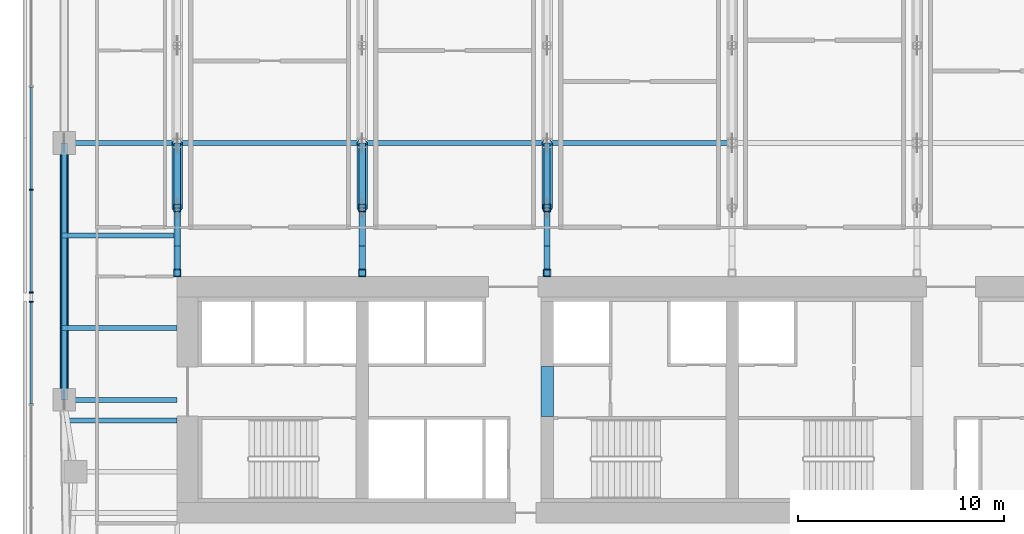
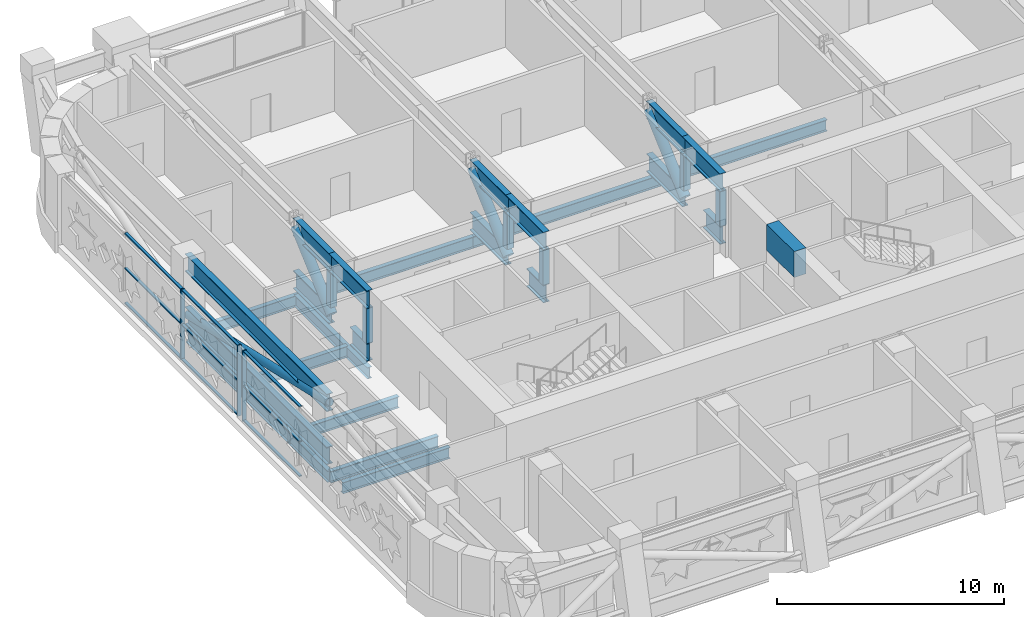
# One storey, part 3 of 27: 36 members, 9 beams, 2 elements without a shape of their own.
"""IFC4 building model written with IfcOpenShell, lengths in metres."""

from ifc_helpers import new_model, si_unit, direction, frame, origin, origin_2d, place, context, subcontext, project, spatial, rectangle, hollow_rectangle, hollow_circle, i_section, extrude, material, material_profile, profile_set, type_object, element, aggregate, save


model = new_model("IFC4")

# Units and contexts
model_context = context("Model", 3, precision=1e-05, world=origin(), true_north=direction((0.0, 1.0)))
body_context = subcontext(model_context, "Body", "Model", "MODEL_VIEW")
ifc_project = project(units=[si_unit("LENGTHUNIT", "METRE"), si_unit("AREAUNIT", "SQUARE_METRE"), si_unit("VOLUMEUNIT", "CUBIC_METRE"), si_unit("PLANEANGLEUNIT", "RADIAN"), si_unit("MASSUNIT", "GRAM", prefix="KILO")], contexts=[model_context])

# Site, building, storey
site_placement = place(None, origin())
site = spatial("IfcSite", under=ifc_project, at=site_placement, CompositionType="ELEMENT")
building_placement = place(site_placement, origin())
building = spatial("IfcBuilding", under=site, at=building_placement, Name="Zellij Exchange Tower", CompositionType="ELEMENT")
storey_placement = place(building_placement, frame((0.0, 0.0, 104.5)))
storey = spatial("IfcBuildingStorey", under=building, at=storey_placement, Name="L22", CompositionType="ELEMENT", Elevation=104.5)

# Beam
ifc_material_1 = material(Name="Concrete C70/85", Category="concrete")
ifc_material_profile_1 = material_profile(ifc_material_1, rectangle(XDim=0.60009765625, YDim=1.39990234375, at=origin_2d()), Name="CORE-CB 600x1400 C70/85")
ifc_profile_set_1 = profile_set([ifc_material_profile_1], Name="Concrete C70/85")
beam_type_1 = type_object("IfcBeamType", Name="CORE-CB 600x1400 C70/85", PredefinedType="BEAM", material=ifc_profile_set_1)
beam_1_placement = place(storey_placement, frame((-9.0, -8.800048828125, 3.10009765625), z_axis=(0.0, 1.0, 0.0), x_axis=(-1.0, 0.0, 0.0)))
element("IfcBeam", 1, at=beam_1_placement, inside=storey, type_object=beam_type_1, Name="Core coupling beam x -9 L22", PredefinedType="BEAM", context=body_context, shape_type="SweptSolid", body=[
    extrude(rectangle(XDim=0.60009765625, YDim=1.39990234375, at=origin_2d()), origin(), (0.0, 0.0, 1.0), 2.425048828125),
])

# Curtain wall, members
ifc_material_2 = material(Name="Aluminium frame, clear insulating glass", Category="aluminium")
curtain_wall_type = type_object("IfcCurtainWallType", Name="ENV-CW2 Outrigger-storey glazing", PredefinedType="NOTDEFINED", material=ifc_material_2)
curtain_wall_1_placement = place(storey_placement, origin())
curtain_wall_1 = element("IfcCurtainWall", 2, at=curtain_wall_1_placement, inside=storey, type_object=curtain_wall_type, Name="cw.L22.21a", PredefinedType="NOTDEFINED")
ifc_material_3 = material(Name="Aluminium", Category="aluminium")
ifc_material_profile_2 = material_profile(ifc_material_3, rectangle(XDim=0.06005859375, YDim=0.199951171875, at=origin_2d()), Name="AL 60x200")
ifc_profile_set_2 = profile_set([ifc_material_profile_2], Name="Aluminium")
member_type_1 = type_object("IfcMemberType", Name="ENV-CW2M Mullion 60x200", PredefinedType="MULLION", material=ifc_profile_set_2)
member_1_placement = place(storey_placement, frame((-34.10009765625, 2.224609375, 0.0), z_axis=(0.0, 0.0, 1.0), x_axis=(0.0, -1.0, 0.0)))
member_1 = element("IfcMember", 3, at=member_1_placement, type_object=member_type_1, Name="CW2 mullion 3", PredefinedType="MULLION", context=body_context, shape_type="SweptSolid", body=[
    extrude(rectangle(XDim=0.06005859375, YDim=0.199951171875, at=origin_2d()), origin(), (0.0, 0.0, 1.0), 3.800048828125),
])
member_2_placement = place(storey_placement, frame((-34.10009765625, -2.77001953125, 0.0), z_axis=(0.0, 0.0, 1.0), x_axis=(0.0, -1.0, 0.0)))
member_2 = element("IfcMember", 4, at=member_2_placement, type_object=member_type_1, Name="CW2 mullion 4", PredefinedType="MULLION", context=body_context, shape_type="SweptSolid", body=[
    extrude(rectangle(XDim=0.06005859375, YDim=0.199951171875, at=origin_2d()), origin(), (0.0, 0.0, 1.0), 3.800048828125),
])

# Curtain wall, member
curtain_wall_2_placement = place(storey_placement, origin())
curtain_wall_2 = element("IfcCurtainWall", 5, at=curtain_wall_2_placement, inside=storey, type_object=curtain_wall_type, Name="cw.L22.21b", PredefinedType="NOTDEFINED")
member_3_placement = place(storey_placement, frame((-34.10009765625, -3.22998046875, 0.0), z_axis=(0.0, 0.0, 1.0), x_axis=(0.0, -1.0, 0.0)))
member_3 = element("IfcMember", 6, at=member_3_placement, type_object=member_type_1, Name="CW2 mullion 1", PredefinedType="MULLION", context=body_context, shape_type="SweptSolid", body=[
    extrude(rectangle(XDim=0.06005859375, YDim=0.199951171875, at=origin_2d()), origin(), (0.0, 0.0, 1.0), 3.800048828125),
])

# Member
ifc_material_profile_3 = material_profile(ifc_material_3, rectangle(XDim=0.139892578125, YDim=0.06005859375, at=origin_2d()), Name="AL 140x60")
ifc_profile_set_3 = profile_set([ifc_material_profile_3], Name="Aluminium")
member_type_2 = type_object("IfcMemberType", Name="ENV-CW2T Transom 140x60", PredefinedType="USERDEFINED", material=ifc_profile_set_3)
member_4_placement = place(storey_placement, frame((-34.10009765625, 7.21923828125, 0.030029296875), z_axis=(0.0, -1.0, 0.0), x_axis=(1.0, 0.0, 0.0)))
member_4 = element("IfcMember", 7, at=member_4_placement, type_object=member_type_2, Name="CW2 transom 2.1", ObjectType="TRANSOM", PredefinedType="USERDEFINED", context=body_context, shape_type="SweptSolid", body=[
    extrude(rectangle(XDim=0.139892578125, YDim=0.06005859375, at=origin_2d()), origin(), (0.0, 0.0, 1.0), 4.964599609375),
])

member_5_placement = place(storey_placement, frame((-34.10009765625, 7.21923828125, 1.89990234375), z_axis=(0.0, -1.0, 0.0), x_axis=(1.0, 0.0, 0.0)))
member_5 = element("IfcMember", 8, at=member_5_placement, type_object=member_type_2, Name="CW2 transom 2.2", ObjectType="TRANSOM", PredefinedType="USERDEFINED", context=body_context, shape_type="SweptSolid", body=[
    extrude(rectangle(XDim=0.139892578125, YDim=0.06005859375, at=origin_2d()), origin(), (0.0, 0.0, 1.0), 4.964599609375),
])

member_6_placement = place(storey_placement, frame((-34.10009765625, 7.21923828125, 3.77001953125), z_axis=(0.0, -1.0, 0.0), x_axis=(1.0, 0.0, 0.0)))
member_6 = element("IfcMember", 9, at=member_6_placement, type_object=member_type_2, Name="CW2 transom 2.3", ObjectType="TRANSOM", PredefinedType="USERDEFINED", context=body_context, shape_type="SweptSolid", body=[
    extrude(rectangle(XDim=0.139892578125, YDim=0.06005859375, at=origin_2d()), origin(), (0.0, 0.0, 1.0), 4.964599609375),
])

member_7_placement = place(storey_placement, frame((-34.10009765625, 2.194580078125, 0.030029296875), z_axis=(0.0, -1.0, 0.0), x_axis=(1.0, 0.0, 0.0)))
member_7 = element("IfcMember", 10, at=member_7_placement, type_object=member_type_2, Name="CW2 transom 3.1", ObjectType="TRANSOM", PredefinedType="USERDEFINED", context=body_context, shape_type="SweptSolid", body=[
    extrude(rectangle(XDim=0.139892578125, YDim=0.06005859375, at=origin_2d()), origin(), (0.0, 0.0, 1.0), 4.9345703125),
])

member_8_placement = place(storey_placement, frame((-34.10009765625, 2.194580078125, 1.89990234375), z_axis=(0.0, -1.0, 0.0), x_axis=(1.0, 0.0, 0.0)))
member_8 = element("IfcMember", 11, at=member_8_placement, type_object=member_type_2, Name="CW2 transom 3.2", ObjectType="TRANSOM", PredefinedType="USERDEFINED", context=body_context, shape_type="SweptSolid", body=[
    extrude(rectangle(XDim=0.139892578125, YDim=0.06005859375, at=origin_2d()), origin(), (0.0, 0.0, 1.0), 4.9345703125),
])

member_9_placement = place(storey_placement, frame((-34.10009765625, 2.194580078125, 3.77001953125), z_axis=(0.0, -1.0, 0.0), x_axis=(1.0, 0.0, 0.0)))
member_9 = element("IfcMember", 12, at=member_9_placement, type_object=member_type_2, Name="CW2 transom 3.3", ObjectType="TRANSOM", PredefinedType="USERDEFINED", context=body_context, shape_type="SweptSolid", body=[
    extrude(rectangle(XDim=0.139892578125, YDim=0.06005859375, at=origin_2d()), origin(), (0.0, 0.0, 1.0), 4.9345703125),
])

aggregate(curtain_wall_1, [member_1, member_2, member_4, member_5, member_6, member_7, member_8, member_9])

member_10_placement = place(storey_placement, frame((-34.10009765625, -3.260009765625, 0.030029296875), z_axis=(0.0, -1.0, 0.0), x_axis=(1.0, 0.0, 0.0)))
member_10 = element("IfcMember", 13, at=member_10_placement, type_object=member_type_2, Name="CW2 transom 1.1", ObjectType="TRANSOM", PredefinedType="USERDEFINED", context=body_context, shape_type="SweptSolid", body=[
    extrude(rectangle(XDim=0.139892578125, YDim=0.06005859375, at=origin_2d()), origin(), (0.0, 0.0, 1.0), 4.9345703125),
])

member_11_placement = place(storey_placement, frame((-34.10009765625, -3.260009765625, 1.89990234375), z_axis=(0.0, -1.0, 0.0), x_axis=(1.0, 0.0, 0.0)))
member_11 = element("IfcMember", 14, at=member_11_placement, type_object=member_type_2, Name="CW2 transom 1.2", ObjectType="TRANSOM", PredefinedType="USERDEFINED", context=body_context, shape_type="SweptSolid", body=[
    extrude(rectangle(XDim=0.139892578125, YDim=0.06005859375, at=origin_2d()), origin(), (0.0, 0.0, 1.0), 4.9345703125),
])

member_12_placement = place(storey_placement, frame((-34.10009765625, -3.260009765625, 3.77001953125), z_axis=(0.0, -1.0, 0.0), x_axis=(1.0, 0.0, 0.0)))
member_12 = element("IfcMember", 15, at=member_12_placement, type_object=member_type_2, Name="CW2 transom 1.3", ObjectType="TRANSOM", PredefinedType="USERDEFINED", context=body_context, shape_type="SweptSolid", body=[
    extrude(rectangle(XDim=0.139892578125, YDim=0.06005859375, at=origin_2d()), origin(), (0.0, 0.0, 1.0), 4.9345703125),
])

aggregate(curtain_wall_2, [member_3, member_10, member_11, member_12])

# Beams
ifc_material_4 = material(Name="Structural steel ASTM A992 Gr 50", Category="steel")
ifc_material_profile_4 = material_profile(ifc_material_4, i_section(OverallWidth=0.227783203125, OverallDepth=0.60205078125, WebThickness=0.010498046875, FlangeThickness=0.014892578125, at=origin_2d()), Name="W24x68")
ifc_profile_set_4 = profile_set([ifc_material_profile_4], Name="Structural steel ASTM A992 Gr 50")
beam_type_2 = type_object("IfcBeamType", Name="STR-BEAM W24x68", PredefinedType="BEAM", material=ifc_profile_set_4)
beam_2_placement = place(storey_placement, frame((-32.458740234375, -9.0, -0.65087890625), z_axis=(1.0, 0.0, 0.0), x_axis=(0.0, 1.0, 0.0)))
element("IfcBeam", 16, at=beam_2_placement, inside=storey, type_object=beam_type_2, Name="B5", PredefinedType="BEAM", context=body_context, shape_type="SweptSolid", body=[
    extrude(i_section(OverallWidth=0.227783203125, OverallDepth=0.60205078125, WebThickness=0.010498046875, FlangeThickness=0.014892578125, at=origin_2d()), origin(), (0.0, 0.0, 1.0), 5.458740234375),
])
for number, where, z_axis, x_axis, name in (
    (17, (-32.614501953125, -4.5, -0.65087890625), (1.0, 0.0, 0.0), (0.0, 1.0, 0.0), "B5"),
    (18, (-32.614501953125, 0.0, -0.65087890625), (1.0, 0.0, 0.0), (0.0, 1.0, 0.0), "B5"),
):
    element("IfcBeam", number, at=place(storey_placement, frame(where, z_axis=z_axis, x_axis=x_axis)), inside=storey, type_object=beam_type_2, Name=name, PredefinedType="BEAM", context=body_context, shape_type="SweptSolid", body=[
        extrude(i_section(OverallWidth=0.227783203125, OverallDepth=0.60205078125, WebThickness=0.010498046875, FlangeThickness=0.014892578125, at=origin_2d()), origin(), (0.0, 0.0, 1.0), 5.614501953125),
    ])

# Members
ifc_material_profile_5 = material_profile(ifc_material_4, i_section(OverallWidth=0.307373046875, OverallDepth=0.9423828125, WebThickness=0.022216796875, FlangeThickness=0.039794921875, at=origin_2d()), Name="W36x232")
ifc_profile_set_5 = profile_set([ifc_material_profile_5], Name="Structural steel ASTM A992 Gr 50")
member_type_3 = type_object("IfcMemberType", Name="STR-BELT TRUSS CHORD W36x232", PredefinedType="CHORD", material=ifc_profile_set_5)
for number, where, z_axis, x_axis, name in (
    (19, (-32.5, -8.0, 0.47119140625), (0.0, 1.0, 0.0), (-1.0, 0.0, 0.0), "BT1"),
    (20, (-32.5, -8.0, 3.328857421875), (0.0, 1.0, 0.0), (-1.0, 0.0, 0.0), "BT1"),
):
    element("IfcMember", number, at=place(storey_placement, frame(where, z_axis=z_axis, x_axis=x_axis)), inside=storey, type_object=member_type_3, Name=name, PredefinedType="CHORD", context=body_context, shape_type="SweptSolid", body=[
        extrude(i_section(OverallWidth=0.307373046875, OverallDepth=0.9423828125, WebThickness=0.022216796875, FlangeThickness=0.039794921875, at=origin_2d()), origin(), (0.0, 0.0, 1.0), 12.5),
    ])
ifc_material_5 = material(Name="Structural steel ASTM A500 Gr C", Category="steel")
ifc_material_profile_6 = material_profile(ifc_material_5, hollow_circle(Radius=0.203125, WallThickness=0.01171875, at=origin_2d()), Name="STR-BELT TRUSS DIAGONAL HSS16.000x0.500")
ifc_profile_set_6 = profile_set([ifc_material_profile_6], Name="Structural steel ASTM A500 Gr C")
member_type_4 = type_object("IfcMemberType", Name="STR-BELT TRUSS DIAGONAL HSS16.000x0.500", PredefinedType="BRACE", material=ifc_profile_set_6)
member_13_placement = place(storey_placement, frame((-32.5, -8.0, 3.328857421875), z_axis=(0.0, 0.974849643102, -0.222863575635), x_axis=(-1.0, 0.0, 0.0)))
element("IfcMember", 21, at=member_13_placement, inside=storey, type_object=member_type_4, Name="BT2", PredefinedType="BRACE", context=body_context, shape_type="SweptSolid", body=[
    extrude(hollow_circle(Radius=0.203125, WallThickness=0.01171875, at=origin_2d()), origin(), (0.0, 0.0, 1.0), 12.822509765625),
])

# Beams
ifc_material_profile_7 = material_profile(ifc_material_4, i_section(OverallWidth=0.22900390625, OverallDepth=0.612060546875, WebThickness=0.011962890625, FlangeThickness=0.01953125, at=origin_2d()), Name="W24x84")
ifc_profile_set_7 = profile_set([ifc_material_profile_7], Name="Structural steel ASTM A992 Gr 50")
beam_type_3 = type_object("IfcBeamType", Name="STR-EDGE GIRDER W24x84", PredefinedType="BEAM", material=ifc_profile_set_7)
beam_3_placement = place(storey_placement, frame((-32.5, -8.0, -0.656005859375), z_axis=(0.0, 1.0, 0.0), x_axis=(-1.0, 0.0, 0.0)))
element("IfcBeam", 22, at=beam_3_placement, inside=storey, type_object=beam_type_3, Name="EB6", PredefinedType="BEAM", context=body_context, shape_type="SweptSolid", body=[
    extrude(i_section(OverallWidth=0.22900390625, OverallDepth=0.612060546875, WebThickness=0.011962890625, FlangeThickness=0.01953125, at=origin_2d()), origin(), (0.0, 0.0, 1.0), 12.5),
])
ifc_material_profile_8 = material_profile(ifc_material_4, i_section(OverallWidth=0.22900390625, OverallDepth=0.612060546875, WebThickness=0.011962890625, FlangeThickness=0.01953125, at=origin_2d()), Name="W24x84")
ifc_profile_set_8 = profile_set([ifc_material_profile_8], Name="Structural steel ASTM A992 Gr 50")
beam_type_4 = type_object("IfcBeamType", Name="STR-GIRDER W24x84", PredefinedType="BEAM", material=ifc_profile_set_8)
beam_4_placement = place(storey_placement, frame((-32.5, -8.0, -0.656005859375), z_axis=(1.0, 0.0, 0.0), x_axis=(0.0, 1.0, 0.0)))
element("IfcBeam", 23, at=beam_4_placement, inside=storey, type_object=beam_type_4, Name="G4", PredefinedType="BEAM", context=body_context, shape_type="SweptSolid", body=[
    extrude(i_section(OverallWidth=0.22900390625, OverallDepth=0.612060546875, WebThickness=0.011962890625, FlangeThickness=0.01953125, at=origin_2d()), origin(), (0.0, 0.0, 1.0), 5.5),
])
beam_5_placement = place(storey_placement, frame((-32.5, 4.5, -0.656005859375), z_axis=(1.0, 0.0, 0.0), x_axis=(0.0, 1.0, 0.0)))
element("IfcBeam", 24, at=beam_5_placement, inside=storey, type_object=beam_type_4, Name="G4", PredefinedType="BEAM", context=body_context, shape_type="SweptSolid", body=[
    extrude(i_section(OverallWidth=0.22900390625, OverallDepth=0.612060546875, WebThickness=0.011962890625, FlangeThickness=0.01953125, at=origin_2d()), origin(), (0.0, 0.0, 1.0), 14.5),
])
beam_6_placement = place(storey_placement, frame((-18.0, 4.5, -0.656005859375), z_axis=(1.0, 0.0, 0.0), x_axis=(0.0, 1.0, 0.0)))
element("IfcBeam", 25, at=beam_6_placement, inside=storey, type_object=beam_type_4, Name="G4", PredefinedType="BEAM", context=body_context, shape_type="SweptSolid", body=[
    extrude(i_section(OverallWidth=0.22900390625, OverallDepth=0.612060546875, WebThickness=0.011962890625, FlangeThickness=0.01953125, at=origin_2d()), origin(), (0.0, 0.0, 1.0), 18.0),
])
beam_7_placement = place(storey_placement, frame((-27.0, -2.0, -0.656005859375), z_axis=(0.0, 1.0, 0.0), x_axis=(-1.0, 0.0, 0.0)))
element("IfcBeam", 26, at=beam_7_placement, inside=storey, type_object=beam_type_4, Name="G4", PredefinedType="BEAM", context=body_context, shape_type="SweptSolid", body=[
    extrude(i_section(OverallWidth=0.22900390625, OverallDepth=0.612060546875, WebThickness=0.011962890625, FlangeThickness=0.01953125, at=origin_2d()), origin(), (0.0, 0.0, 1.0), 6.5),
])

# Members
ifc_material_6 = material(Name="Structural steel ASTM A913 Gr 65", Category="steel")
ifc_material_profile_9 = material_profile(ifc_material_6, i_section(OverallWidth=0.2998046875, OverallDepth=0.965087890625, WebThickness=0.01904296875, FlangeThickness=0.0361328125, at=origin_2d()), Name="W40x249")
ifc_profile_set_9 = profile_set([ifc_material_profile_9], Name="Structural steel ASTM A913 Gr 65")
member_type_5 = type_object("IfcMemberType", Name="STR-OUTRIGGER TRUSS CHORD W40x249", PredefinedType="CHORD", material=ifc_profile_set_9)
member_14_placement = place(storey_placement, frame((-27.0, -2.0, 3.3173828125), z_axis=(0.0, 1.0, 0.0), x_axis=(-1.0, 0.0, 0.0)))
element("IfcMember", 27, at=member_14_placement, inside=storey, type_object=member_type_5, Name="OT1", PredefinedType="CHORD", context=body_context, shape_type="SweptSolid", body=[
    extrude(i_section(OverallWidth=0.2998046875, OverallDepth=0.965087890625, WebThickness=0.01904296875, FlangeThickness=0.0361328125, at=origin_2d()), origin(), (0.0, 0.0, 1.0), 3.339111328125),
])
member_15_placement = place(storey_placement, frame((-27.0, -2.0, 0.482666015625), z_axis=(0.0, 1.0, 0.0), x_axis=(-1.0, 0.0, 0.0)))
element("IfcMember", 28, at=member_15_placement, inside=storey, type_object=member_type_5, Name="OT1", PredefinedType="CHORD", context=body_context, shape_type="SweptSolid", body=[
    extrude(i_section(OverallWidth=0.2998046875, OverallDepth=0.965087890625, WebThickness=0.01904296875, FlangeThickness=0.0361328125, at=origin_2d()), origin(), (0.0, 0.0, 1.0), 1.5),
])
for number, where, z_axis, x_axis, name in (
    (29, (-27.0, 1.339111328125, 3.3173828125), (0.0, 1.0, 0.0), (-1.0, 0.0, 0.0), "OT1"),
    (30, (-27.0, 1.339111328125, 0.482666015625), (0.0, 1.0, 0.0), (-1.0, 0.0, 0.0), "OT1"),
):
    element("IfcMember", number, at=place(storey_placement, frame(where, z_axis=z_axis, x_axis=x_axis)), inside=storey, type_object=member_type_5, Name=name, PredefinedType="CHORD", context=body_context, shape_type="SweptSolid", body=[
        extrude(i_section(OverallWidth=0.2998046875, OverallDepth=0.965087890625, WebThickness=0.01904296875, FlangeThickness=0.0361328125, at=origin_2d()), origin(), (0.0, 0.0, 1.0), 3.160888671875),
    ])
member_16_placement = place(storey_placement, frame((-18.0, -2.0, 3.3173828125), z_axis=(0.0, 1.0, 0.0), x_axis=(-1.0, 0.0, 0.0)))
element("IfcMember", 31, at=member_16_placement, inside=storey, type_object=member_type_5, Name="OT1", PredefinedType="CHORD", context=body_context, shape_type="SweptSolid", body=[
    extrude(i_section(OverallWidth=0.2998046875, OverallDepth=0.965087890625, WebThickness=0.01904296875, FlangeThickness=0.0361328125, at=origin_2d()), origin(), (0.0, 0.0, 1.0), 3.339111328125),
])
member_17_placement = place(storey_placement, frame((-18.0, -2.0, 0.482666015625), z_axis=(0.0, 1.0, 0.0), x_axis=(-1.0, 0.0, 0.0)))
element("IfcMember", 32, at=member_17_placement, inside=storey, type_object=member_type_5, Name="OT1", PredefinedType="CHORD", context=body_context, shape_type="SweptSolid", body=[
    extrude(i_section(OverallWidth=0.2998046875, OverallDepth=0.965087890625, WebThickness=0.01904296875, FlangeThickness=0.0361328125, at=origin_2d()), origin(), (0.0, 0.0, 1.0), 1.5),
])
for number, where, z_axis, x_axis, name in (
    (33, (-18.0, 1.339111328125, 3.3173828125), (0.0, 1.0, 0.0), (-1.0, 0.0, 0.0), "OT1"),
    (34, (-18.0, 1.339111328125, 0.482666015625), (0.0, 1.0, 0.0), (-1.0, 0.0, 0.0), "OT1"),
):
    element("IfcMember", number, at=place(storey_placement, frame(where, z_axis=z_axis, x_axis=x_axis)), inside=storey, type_object=member_type_5, Name=name, PredefinedType="CHORD", context=body_context, shape_type="SweptSolid", body=[
        extrude(i_section(OverallWidth=0.2998046875, OverallDepth=0.965087890625, WebThickness=0.01904296875, FlangeThickness=0.0361328125, at=origin_2d()), origin(), (0.0, 0.0, 1.0), 3.160888671875),
    ])
member_18_placement = place(storey_placement, frame((-9.0, -2.0, 3.3173828125), z_axis=(0.0, 1.0, 0.0), x_axis=(-1.0, 0.0, 0.0)))
element("IfcMember", 35, at=member_18_placement, inside=storey, type_object=member_type_5, Name="OT1", PredefinedType="CHORD", context=body_context, shape_type="SweptSolid", body=[
    extrude(i_section(OverallWidth=0.2998046875, OverallDepth=0.965087890625, WebThickness=0.01904296875, FlangeThickness=0.0361328125, at=origin_2d()), origin(), (0.0, 0.0, 1.0), 3.339111328125),
])
member_19_placement = place(storey_placement, frame((-9.0, -2.0, 0.482666015625), z_axis=(0.0, 1.0, 0.0), x_axis=(-1.0, 0.0, 0.0)))
element("IfcMember", 36, at=member_19_placement, inside=storey, type_object=member_type_5, Name="OT1", PredefinedType="CHORD", context=body_context, shape_type="SweptSolid", body=[
    extrude(i_section(OverallWidth=0.2998046875, OverallDepth=0.965087890625, WebThickness=0.01904296875, FlangeThickness=0.0361328125, at=origin_2d()), origin(), (0.0, 0.0, 1.0), 1.5),
])
for number, where, z_axis, x_axis, name in (
    (37, (-9.0, 1.339111328125, 3.3173828125), (0.0, 1.0, 0.0), (-1.0, 0.0, 0.0), "OT1"),
    (38, (-9.0, 1.339111328125, 0.482666015625), (0.0, 1.0, 0.0), (-1.0, 0.0, 0.0), "OT1"),
):
    element("IfcMember", number, at=place(storey_placement, frame(where, z_axis=z_axis, x_axis=x_axis)), inside=storey, type_object=member_type_5, Name=name, PredefinedType="CHORD", context=body_context, shape_type="SweptSolid", body=[
        extrude(i_section(OverallWidth=0.2998046875, OverallDepth=0.965087890625, WebThickness=0.01904296875, FlangeThickness=0.0361328125, at=origin_2d()), origin(), (0.0, 0.0, 1.0), 3.160888671875),
    ])
ifc_material_profile_10 = material_profile(ifc_material_5, hollow_circle(Radius=0.25390625, WallThickness=0.01171875, at=origin_2d()), Name="STR-OUTRIGGER TRUSS DIAGONAL HSS20.000x0.500")
ifc_profile_set_10 = profile_set([ifc_material_profile_10], Name="Structural steel ASTM A500 Gr C")
member_type_6 = type_object("IfcMemberType", Name="STR-OUTRIGGER TRUSS DIAGONAL HSS20.000x0.500", PredefinedType="BRACE", material=ifc_profile_set_10)
for number, where, z_axis, x_axis, name in (
    (39, (-27.0, 1.339111328125, 0.482666015625), (0.0, 0.744473836996, 0.667651635233), (-1.0, 0.0, 0.0), "OT2"),
    (40, (-18.0, 1.339111328125, 0.482666015625), (0.0, 0.744473836996, 0.667651635233), (-1.0, 0.0, 0.0), "OT2"),
    (41, (-9.0, 1.339111328125, 0.482666015625), (0.0, 0.744473836996, 0.667651635233), (-1.0, 0.0, 0.0), "OT2"),
):
    element("IfcMember", number, at=place(storey_placement, frame(where, z_axis=z_axis, x_axis=x_axis)), inside=storey, type_object=member_type_6, Name=name, PredefinedType="BRACE", context=body_context, shape_type="SweptSolid", body=[
        extrude(hollow_circle(Radius=0.25390625, WallThickness=0.01171875, at=origin_2d()), origin(), (0.0, 0.0, 1.0), 4.245849609375),
    ])
ifc_material_profile_11 = material_profile(ifc_material_5, hollow_rectangle(XDim=0.355712890625, YDim=0.355712890625, WallThickness=0.01171875, InnerFilletRadius=0.01171875, OuterFilletRadius=0.023681640625, at=origin_2d()), Name="STR-OUTRIGGER TRUSS POST HSS14x14x1/2")
ifc_profile_set_11 = profile_set([ifc_material_profile_11], Name="Structural steel ASTM A500 Gr C")
member_type_7 = type_object("IfcMemberType", Name="STR-OUTRIGGER TRUSS POST HSS14x14x1/2", PredefinedType="POST", material=ifc_profile_set_11)
for number, where, z_axis, x_axis, name in (
    (42, (-27.0, -1.822265625, 0.965087890625), (0.0, 0.0, 1.0), (1.0, 0.0, 0.0), "OT3"),
    (43, (-27.0, 1.339111328125, 0.965087890625), (0.0, 0.0, 1.0), (1.0, 0.0, 0.0), "OT3"),
    (44, (-18.0, -1.822265625, 0.965087890625), (0.0, 0.0, 1.0), (1.0, 0.0, 0.0), "OT3"),
    (45, (-18.0, 1.339111328125, 0.965087890625), (0.0, 0.0, 1.0), (1.0, 0.0, 0.0), "OT3"),
    (46, (-9.0, -1.822265625, 0.965087890625), (0.0, 0.0, 1.0), (1.0, 0.0, 0.0), "OT3"),
    (47, (-9.0, 1.339111328125, 0.965087890625), (0.0, 0.0, 1.0), (1.0, 0.0, 0.0), "OT3"),
):
    element("IfcMember", number, at=place(storey_placement, frame(where, z_axis=z_axis, x_axis=x_axis)), inside=storey, type_object=member_type_7, Name=name, PredefinedType="POST", context=body_context, shape_type="SweptSolid", body=[
        extrude(hollow_rectangle(XDim=0.355712890625, YDim=0.355712890625, WallThickness=0.01171875, InnerFilletRadius=0.01171875, OuterFilletRadius=0.023681640625, at=origin_2d()), origin(), (0.0, 0.0, 1.0), 1.86962890625),
    ])

save(model, "model.ifc")
